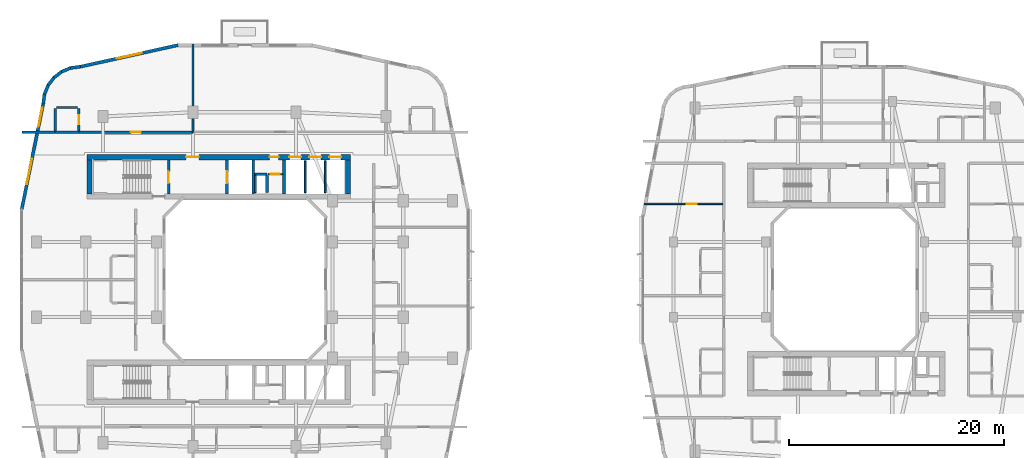
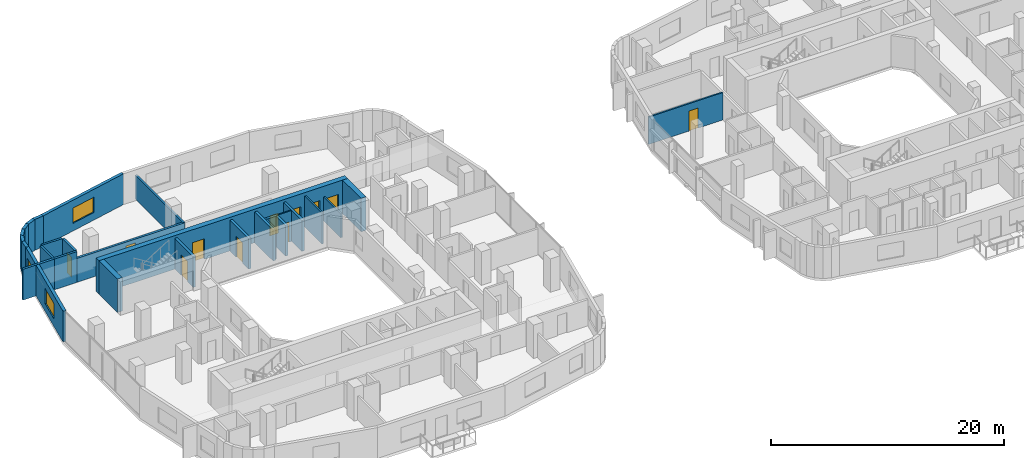
# One storey, part 11 of 22: 29 walls, 11 doors, 3 windows, 14 openings.
"""IFC4 building model written with IfcOpenShell, lengths in metres."""

from ifc_helpers import new_model, si_unit, derived_unit, direction, frame, frame_2d, origin, place, context, subcontext, project, spatial, rectangle, extrude, material, layer, layer_set, type_object, element, fill, save


model = new_model("IFC4")

# Units and contexts
model_context = context("Model", 3, precision=1e-05, world=origin(), true_north=direction((0.0, 1.0)))
body_context = subcontext(model_context, "Body", "Model", "MODEL_VIEW")
ifc_project = project(units=[si_unit("LENGTHUNIT", "METRE"), si_unit("AREAUNIT", "SQUARE_METRE"), si_unit("VOLUMEUNIT", "CUBIC_METRE"), si_unit("PLANEANGLEUNIT", "RADIAN"), si_unit("MASSUNIT", "GRAM", prefix="KILO"), derived_unit("THERMALTRANSMITTANCEUNIT", [(si_unit("POWERUNIT", "WATT"), 1), (si_unit("LENGTHUNIT", "METRE"), -2), (si_unit("THERMODYNAMICTEMPERATUREUNIT", "KELVIN"), -1)])], contexts=[model_context])

# Site, building, storey
site_placement = place(None, origin())
site = spatial("IfcSite", under=ifc_project, at=site_placement, CompositionType="ELEMENT")
building_placement = place(site_placement, origin())
building = spatial("IfcBuilding", under=site, at=building_placement, Name="Kivonza Crest Hotel", CompositionType="ELEMENT")
storey_placement = place(building_placement, frame((0.0, 0.0, 59.0)))
storey = spatial("IfcBuildingStorey", under=building, at=storey_placement, Name="L15", CompositionType="ELEMENT", Elevation=59.0)

# Walls
ifc_material_1 = material(Name="High-density acoustic masonry inter-tenancy wall", Category="masonry")
ifc_layer_1 = layer(ifc_material_1, 0.179931640625)
ifc_layer_set_1 = layer_set([ifc_layer_1], Name="High-density acoustic masonry inter-tenancy wall")
wall_type_1 = type_object("IfcWallType", Name="WL-ACOU-180", PredefinedType="SOLIDWALL", material=ifc_layer_set_1)
wall_1_placement = place(storey_placement, frame((16.199951171875, 38.75, 0.0), z_axis=(0.0, 0.0, 1.0), x_axis=(0.0, 1.0, 0.0)))
element("IfcWall", 1, at=wall_1_placement, inside=storey, type_object=wall_type_1, Name="L15 interior partition WA-L15-T1N-DIV1", PredefinedType="SOLIDWALL", context=body_context, shape_type="SweptSolid", body=[
    extrude(rectangle(XDim=8.18994140625, YDim=0.179931640625, at=frame_2d((4.094970703125, 0.0))), origin(), (0.0, 0.0, 1.0), 2.4951171875),
])
ifc_material_2 = material(Name="Autoclaved aerated concrete blockwork", Category="masonry")
ifc_layer_2 = layer(ifc_material_2, 0.219970703125)
ifc_layer_set_2 = layer_set([ifc_layer_2], Name="Autoclaved aerated concrete blockwork")
wall_type_2 = type_object("IfcWallType", Name="WL-ACOU-220", PredefinedType="SOLIDWALL", material=ifc_layer_set_2)
wall_2_placement = place(storey_placement, frame((0.239990234375, 38.75, 0.0), z_axis=(0.0, 0.0, 1.0), x_axis=(1.0, 0.0, 0.0)))
element("IfcWall", 2, at=wall_2_placement, inside=storey, type_object=wall_type_2, Name="L15 interior partition WA-L15-N01-XCORR", PredefinedType="SOLIDWALL", context=body_context, shape_type="SweptSolid", body=[
    extrude(rectangle(XDim=3.110107421875, YDim=0.219970703125, at=frame_2d((1.55517578125, 0.0))), origin(), (0.0, 0.0, 1.0), 3.219970703125),
])
wall_3_placement = place(storey_placement, frame((3.35009765625, 38.75, 0.0), z_axis=(0.0, 0.0, 1.0), x_axis=(1.0, 0.0, 0.0)))
element("IfcWall", 3, at=wall_3_placement, inside=storey, type_object=wall_type_2, Name="L15 interior partition WA-L15-N01-BCORR", PredefinedType="SOLIDWALL", context=body_context, shape_type="SweptSolid", body=[
    extrude(rectangle(XDim=2.199951171875, YDim=0.219970703125, at=frame_2d((1.10009765625, 0.0))), origin(), (0.0, 0.0, 1.0), 3.219970703125),
])

# Wall, opening, door
wall_4_placement = place(storey_placement, frame((5.550048828125, 38.75, 0.0), z_axis=(0.0, 0.0, 1.0), x_axis=(1.0, 0.0, 0.0)))
wall_4 = element("IfcWall", 4, at=wall_4_placement, inside=storey, type_object=wall_type_2, Name="L15 interior partition WA-L15-N01-MCORR", PredefinedType="SOLIDWALL", context=body_context, shape_type="SweptSolid", body=[
    extrude(rectangle(XDim=10.64990234375, YDim=0.219970703125, at=frame_2d((5.324951171875, 0.0))), origin(), (0.0, 0.0, 1.0), 2.4951171875),
])
opening_1_placement = place(wall_4_placement, frame((4.85009765625, 0.0, 0.0)))
opening_1 = element("IfcOpeningElement", 5, at=opening_1_placement, cuts=wall_4, Name="Opening DU-60", PredefinedType="OPENING", context=body_context, shape_type="SweptSolid", body=[
    extrude(rectangle(XDim=0.949951171875, YDim=2.10009765625, at=frame_2d((0.47509765625, 1.050048828125))), frame((0.0, 0.1201171875, 0.0), z_axis=(0.0, -1.0, 0.0), x_axis=(1.0, 0.0, 0.0)), (0.0, 0.0, 1.0), 0.239990234375),
])
ifc_material_3 = material(Name="Hardwood timber oak", Category="wood")
door_type_1 = type_object("IfcDoorType", Name="DR-UNIT-950", OperationType="NOTDEFINED", PredefinedType="DOOR", material=ifc_material_3)
door_1_placement = place(opening_1_placement, origin())
door_1 = element("IfcDoor", 6, at=door_1_placement, inside=storey, type_object=door_type_1, Name="L15 N01 guest unit entrance fire door", OperationType="SINGLE_SWING_LEFT", OverallHeight=2.10009765625, OverallWidth=0.949951171875, PredefinedType="DOOR", context=body_context, shape_type="SweptSolid", body=[
    extrude(rectangle(XDim=0.949951171875, YDim=2.10009765625, at=frame_2d((0.47509765625, 1.050048828125))), frame((0.0, 0.02490234375, 0.0), z_axis=(0.0, -1.0, 0.0), x_axis=(1.0, 0.0, 0.0)), (0.0, 0.0, 1.0), 0.050048828125),
])
fill(opening_1, door_1)

# Wall, openings, doors
ifc_material_4 = material(Name="Concrete C60/75", Category="concrete")
ifc_layer_3 = layer(ifc_material_4, 0.5)
ifc_layer_set_3 = layer_set([ifc_layer_3], Name="Concrete C60/75")
wall_type_3 = type_object("IfcWallType", Name="WL-CORE-500", PredefinedType="SHEAR", material=ifc_layer_set_3)
wall_5_placement = place(storey_placement, frame((6.300048828125, 36.409912109375, 0.0), z_axis=(0.0, 0.0, 1.0), x_axis=(1.0, 0.0, 0.0)))
wall_5 = element("IfcWall", 7, at=wall_5_placement, inside=storey, type_object=wall_type_3, Name="Core wall T1-N North L15", PredefinedType="SHEAR", context=body_context, shape_type="SweptSolid", body=[
    extrude(rectangle(XDim=24.599853515625, YDim=0.5, at=frame_2d((12.2998046875, 0.0))), origin(), (0.0, 0.0, 1.0), 3.5),
])
opening_2_placement = place(wall_5_placement, frame((9.25, 0.0, 0.0)))
opening_2 = element("IfcOpeningElement", 8, at=opening_2_placement, cuts=wall_5, Name="Opening DF-60", PredefinedType="OPENING", context=body_context, shape_type="SweptSolid", body=[
    extrude(rectangle(XDim=1.199951171875, YDim=2.14990234375, at=frame_2d((0.60009765625, 1.074951171875))), frame((0.0, 0.260009765625, 0.0), z_axis=(0.0, -1.0, 0.0), x_axis=(1.0, 0.0, 0.0)), (0.0, 0.0, 1.0), 0.52001953125),
])
opening_3_placement = place(wall_5_placement, frame((17.0400390625, 0.0, 0.0)))
opening_3 = element("IfcOpeningElement", 9, at=opening_3_placement, cuts=wall_5, Name="Opening DF-60R", PredefinedType="OPENING", context=body_context, shape_type="SweptSolid", body=[
    extrude(rectangle(XDim=0.85009765625, YDim=2.10009765625, at=frame_2d((0.425048828125, 1.050048828125))), frame((0.0, 0.260009765625, 0.0), z_axis=(0.0, -1.0, 0.0), x_axis=(1.0, 0.0, 0.0)), (0.0, 0.0, 1.0), 0.52001953125),
])
opening_4_placement = place(wall_5_placement, frame((18.883056640625, 0.0, 0.0)))
opening_4 = element("IfcOpeningElement", 10, at=opening_4_placement, cuts=wall_5, Name="Opening LD-120", PredefinedType="OPENING", context=body_context, shape_type="SweptSolid", body=[
    extrude(rectangle(XDim=1.10009765625, YDim=2.14990234375, at=frame_2d((0.550048828125, 1.074951171875))), frame((0.0, 0.260009765625, 0.0), z_axis=(0.0, -1.0, 0.0), x_axis=(1.0, 0.0, 0.0)), (0.0, 0.0, 1.0), 0.52001953125),
])
opening_5_placement = place(wall_5_placement, frame((20.75, 0.0, 0.0)))
opening_5 = element("IfcOpeningElement", 11, at=opening_5_placement, cuts=wall_5, Name="Opening LD-120", PredefinedType="OPENING", context=body_context, shape_type="SweptSolid", body=[
    extrude(rectangle(XDim=1.10009765625, YDim=2.14990234375, at=frame_2d((0.550048828125, 1.074951171875))), frame((0.0, 0.260009765625, 0.0), z_axis=(0.0, -1.0, 0.0), x_axis=(1.0, 0.0, 0.0)), (0.0, 0.0, 1.0), 0.52001953125),
])
opening_6_placement = place(wall_5_placement, frame((22.615966796875, 0.0, 0.0)))
opening_6 = element("IfcOpeningElement", 12, at=opening_6_placement, cuts=wall_5, Name="Opening LD-120", PredefinedType="OPENING", context=body_context, shape_type="SweptSolid", body=[
    extrude(rectangle(XDim=1.10009765625, YDim=2.14990234375, at=frame_2d((0.550048828125, 1.074951171875))), frame((0.0, 0.260009765625, 0.0), z_axis=(0.0, -1.0, 0.0), x_axis=(1.0, 0.0, 0.0)), (0.0, 0.0, 1.0), 0.52001953125),
])
door_type_2 = type_object("IfcDoorType", Name="DR-FD60-1200", OperationType="NOTDEFINED", PredefinedType="DOOR", material=ifc_material_3)
door_2_placement = place(opening_2_placement, origin())
door_2 = element("IfcDoor", 13, at=door_2_placement, inside=storey, type_object=door_type_2, Name="L15 T1-N firefighting lobby fire door", OperationType="SINGLE_SWING_RIGHT", OverallHeight=2.14990234375, OverallWidth=1.199951171875, PredefinedType="DOOR", context=body_context, shape_type="SweptSolid", body=[
    extrude(rectangle(XDim=1.199951171875, YDim=2.14990234375, at=frame_2d((0.60009765625, 1.074951171875))), frame((0.0, 0.02490234375, 0.0), z_axis=(0.0, -1.0, 0.0), x_axis=(1.0, 0.0, 0.0)), (0.0, 0.0, 1.0), 0.050048828125),
])
fill(opening_2, door_2)
door_type_3 = type_object("IfcDoorType", Name="DR-FD60-850", OperationType="NOTDEFINED", PredefinedType="DOOR", material=ifc_material_3)
door_3_placement = place(opening_3_placement, origin())
door_3 = element("IfcDoor", 14, at=door_3_placement, inside=storey, type_object=door_type_3, Name="L15 T1-N core room door", OperationType="SINGLE_SWING_RIGHT", OverallHeight=2.10009765625, OverallWidth=0.85009765625, PredefinedType="DOOR", context=body_context, shape_type="SweptSolid", body=[
    extrude(rectangle(XDim=0.85009765625, YDim=2.10009765625, at=frame_2d((0.425048828125, 1.050048828125))), frame((0.0, 0.02490234375, 0.0), z_axis=(0.0, -1.0, 0.0), x_axis=(1.0, 0.0, 0.0)), (0.0, 0.0, 1.0), 0.050048828125),
])
fill(opening_3, door_3)
ifc_material_5 = material(Name="Stainless steel", Category="steel")
door_type_4 = type_object("IfcDoorType", Name="DR-LD120-1100", OperationType="NOTDEFINED", PredefinedType="DOOR", material=ifc_material_5)
door_4_placement = place(opening_4_placement, origin())
door_4 = element("IfcDoor", 15, at=door_4_placement, inside=storey, type_object=door_type_4, Name="L15 PL-T1-L1 passenger lift sliding landing door", OperationType="DOUBLE_DOOR_SLIDING", OverallHeight=2.14990234375, OverallWidth=1.10009765625, PredefinedType="DOOR", context=body_context, shape_type="SweptSolid", body=[
    extrude(rectangle(XDim=1.10009765625, YDim=2.14990234375, at=frame_2d((0.550048828125, 1.074951171875))), frame((0.0, 0.02490234375, 0.0), z_axis=(0.0, -1.0, 0.0), x_axis=(1.0, 0.0, 0.0)), (0.0, 0.0, 1.0), 0.050048828125),
])
fill(opening_4, door_4)
door_5_placement = place(opening_5_placement, origin())
door_5 = element("IfcDoor", 16, at=door_5_placement, inside=storey, type_object=door_type_4, Name="L15 PL-T1-L2 passenger lift sliding landing door", OperationType="DOUBLE_DOOR_SLIDING", OverallHeight=2.14990234375, OverallWidth=1.10009765625, PredefinedType="DOOR", context=body_context, shape_type="SweptSolid", body=[
    extrude(rectangle(XDim=1.10009765625, YDim=2.14990234375, at=frame_2d((0.550048828125, 1.074951171875))), frame((0.0, 0.02490234375, 0.0), z_axis=(0.0, -1.0, 0.0), x_axis=(1.0, 0.0, 0.0)), (0.0, 0.0, 1.0), 0.050048828125),
])
fill(opening_5, door_5)
door_6_placement = place(opening_6_placement, origin())
door_6 = element("IfcDoor", 17, at=door_6_placement, inside=storey, type_object=door_type_4, Name="L15 PL-T1-L3 passenger lift sliding landing door", OperationType="DOUBLE_DOOR_SLIDING", OverallHeight=2.14990234375, OverallWidth=1.10009765625, PredefinedType="DOOR", context=body_context, shape_type="SweptSolid", body=[
    extrude(rectangle(XDim=1.10009765625, YDim=2.14990234375, at=frame_2d((0.550048828125, 1.074951171875))), frame((0.0, 0.02490234375, 0.0), z_axis=(0.0, -1.0, 0.0), x_axis=(1.0, 0.0, 0.0)), (0.0, 0.0, 1.0), 0.050048828125),
])
fill(opening_6, door_6)

# Walls
for number, where, z_axis, x_axis, name in (
    (18, (6.550048828125, 33.0, 0.0), (0.0, 0.0, 1.0), (0.0, 1.0, 0.0), "Core wall T1-N West L15"),
    (19, (30.64990234375, 33.0, 0.0), (0.0, 0.0, 1.0), (0.0, 1.0, 0.0), "Core wall T1-N East L15"),
):
    element("IfcWall", number, at=place(storey_placement, frame(where, z_axis=z_axis, x_axis=x_axis)), inside=storey, type_object=wall_type_3, Name=name, PredefinedType="SHEAR", context=body_context, shape_type="SweptSolid", body=[
        extrude(rectangle(XDim=3.159912109375, YDim=0.5, at=frame_2d((1.580078125, 0.0))), origin(), (0.0, 0.0, 1.0), 3.5),
    ])

# Wall, opening, window
ifc_material_6 = material(Name="Precast concrete C40/50", Category="concrete")
ifc_layer_4 = layer(ifc_material_6, 0.300048828125)
ifc_layer_set_4 = layer_set([ifc_layer_4], Name="Precast concrete C40/50")
wall_type_4 = type_object("IfcWallType", Name="WL-EXT-300", PredefinedType="STANDARD", material=ifc_layer_set_4)
wall_6_placement = place(storey_placement, frame((14.80810546875, 46.85888671875, 0.0), z_axis=(0.0, 0.0, 1.0), x_axis=(-0.976555357219, -0.21526642629, 0.0)))
wall_6 = element("IfcWall", 20, at=wall_6_placement, inside=storey, type_object=wall_type_4, Name="L15 T1 exterior insulated wall 27", PredefinedType="STANDARD", context=body_context, shape_type="SweptSolid", body=[
    extrude(rectangle(XDim=9.322509765625, YDim=0.300048828125, at=frame_2d((4.6611328125, 0.0))), origin(), (0.0, 0.0, 1.0), 3.219970703125),
])
opening_7_placement = place(wall_6_placement, frame((3.4609375, 0.0, 0.800048828125)))
opening_7 = element("IfcOpeningElement", 21, at=opening_7_placement, cuts=wall_6, Name="Opening WN-05", PredefinedType="OPENING", context=body_context, shape_type="SweptSolid", body=[
    extrude(rectangle(XDim=2.39990234375, YDim=1.60009765625, at=frame_2d((1.199951171875, 0.800048828125))), frame((0.0, 0.16015625, 0.0), z_axis=(0.0, -1.0, 0.0), x_axis=(1.0, 0.0, 0.0)), (0.0, 0.0, 1.0), 0.320068359375),
])
ifc_material_7 = material(Name="Thermally broken bronze aluminium and low-E double glazing", Category="aluminium")
window_type_1 = type_object("IfcWindowType", Name="WN-240x160", PartitioningType="TRIPLE_PANEL_VERTICAL", PredefinedType="WINDOW", material=ifc_material_7)
window_1_placement = place(opening_7_placement, origin())
window_1 = element("IfcWindow", 22, at=window_1_placement, inside=storey, type_object=window_type_1, Name="L15 T1 facade window 27", OverallHeight=1.60009765625, OverallWidth=2.39990234375, PartitioningType="SINGLE_PANEL", PredefinedType="WINDOW", context=body_context, shape_type="SweptSolid", body=[
    extrude(rectangle(XDim=2.39990234375, YDim=1.60009765625, at=frame_2d((1.199951171875, 0.800048828125))), frame((0.0, 0.030029296875, 0.0), z_axis=(0.0, -1.0, 0.0), x_axis=(1.0, 0.0, 0.0)), (0.0, 0.0, 1.0), 0.06005859375),
])
fill(opening_7, window_1)

# Walls
wall_7_placement = place(storey_placement, frame((5.7080078125, 44.85205078125, 0.0), z_axis=(0.0, 0.0, 1.0), x_axis=(-0.991359246108, -0.131174864804, 0.0)))
element("IfcWall", 23, at=wall_7_placement, inside=storey, type_object=wall_type_4, Name="L15 T1 exterior insulated wall 28", PredefinedType="STANDARD", context=body_context, shape_type="SweptSolid", body=[
    extrude(rectangle(XDim=0.93798828125, YDim=0.300048828125, at=frame_2d((0.468994140625, 0.0))), origin(), (0.0, 0.0, 1.0), 3.219970703125),
])
wall_8_placement = place(storey_placement, frame((4.827880859375, 44.748046875, 0.0), z_axis=(0.0, 0.0, 1.0), x_axis=(-0.923982547689, -0.382434636986, 0.0)))
element("IfcWall", 24, at=wall_8_placement, inside=storey, type_object=wall_type_4, Name="L15 T1 exterior insulated wall 29", PredefinedType="STANDARD", context=body_context, shape_type="SweptSolid", body=[
    extrude(rectangle(XDim=0.954345703125, YDim=0.300048828125, at=frame_2d((0.47705078125, 0.0))), origin(), (0.0, 0.0, 1.0), 3.219970703125),
])
for number, where, z_axis, x_axis, name in (
    (25, (3.990966796875, 44.4140625, 0.0), (0.0, 0.0, 1.0), (-0.793668068435, -0.608351047625, 0.0), "L15 T1 exterior insulated wall 30"),
    (26, (3.26806640625, 43.875, 0.0), (0.0, 0.0, 1.0), (-0.608351047625, -0.793668068435, 0.0), "L15 T1 exterior insulated wall 31"),
):
    element("IfcWall", number, at=place(storey_placement, frame(where, z_axis=z_axis, x_axis=x_axis)), inside=storey, type_object=wall_type_4, Name=name, PredefinedType="STANDARD", context=body_context, shape_type="SweptSolid", body=[
        extrude(rectangle(XDim=0.955078125, YDim=0.300048828125, at=frame_2d((0.4775390625, 0.0))), origin(), (0.0, 0.0, 1.0), 3.219970703125),
    ])
wall_9_placement = place(storey_placement, frame((2.7109375, 43.166015625, 0.0), z_axis=(0.0, 0.0, 1.0), x_axis=(-0.382344263057, -0.924019948111, 0.0)))
element("IfcWall", 27, at=wall_9_placement, inside=storey, type_object=wall_type_4, Name="L15 T1 exterior insulated wall 32", PredefinedType="STANDARD", context=body_context, shape_type="SweptSolid", body=[
    extrude(rectangle(XDim=0.95458984375, YDim=0.300048828125, at=frame_2d((0.477294921875, 0.0))), origin(), (0.0, 0.0, 1.0), 3.219970703125),
])
wall_10_placement = place(storey_placement, frame((2.35498046875, 42.3369140625, 0.0), z_axis=(0.0, 0.0, 1.0), x_axis=(-0.130454512571, -0.991454295543, 0.0)))
element("IfcWall", 28, at=wall_10_placement, inside=storey, type_object=wall_type_4, Name="L15 T1 exterior insulated wall 33", PredefinedType="STANDARD", context=body_context, shape_type="SweptSolid", body=[
    extrude(rectangle(XDim=0.97314453125, YDim=0.300048828125, at=frame_2d((0.486572265625, 0.0))), origin(), (0.0, 0.0, 1.0), 3.219970703125),
])

# Wall, openings, windows
wall_11_placement = place(storey_placement, frame((2.22900390625, 41.3779296875, 0.0), z_axis=(0.0, 0.0, 1.0), x_axis=(-0.199990901713, -0.979797754249, 0.0)))
wall_11 = element("IfcWall", 29, at=wall_11_placement, inside=storey, type_object=wall_type_4, Name="L15 T1 exterior insulated wall 34", PredefinedType="STANDARD", context=body_context, shape_type="SweptSolid", body=[
    extrude(rectangle(XDim=10.065185546875, YDim=0.300048828125, at=frame_2d((5.03271484375, 0.0))), origin(), (0.0, 0.0, 1.0), 3.219970703125),
])
opening_8_placement = place(wall_11_placement, frame((0.3779296875, 0.0, 0.85009765625)))
opening_8 = element("IfcOpeningElement", 30, at=opening_8_placement, cuts=wall_11, Name="Opening WN-03", PredefinedType="OPENING", context=body_context, shape_type="SweptSolid", body=[
    extrude(rectangle(XDim=1.800048828125, YDim=1.5, at=frame_2d((0.89990234375, 0.75))), frame((0.0, 0.16015625, 0.0), z_axis=(0.0, -1.0, 0.0), x_axis=(1.0, 0.0, 0.0)), (0.0, 0.0, 1.0), 0.320068359375),
])
opening_9_placement = place(wall_11_placement, frame((5.236083984375, 0.0, 0.800048828125)))
opening_9 = element("IfcOpeningElement", 31, at=opening_9_placement, cuts=wall_11, Name="Opening WN-05", PredefinedType="OPENING", context=body_context, shape_type="SweptSolid", body=[
    extrude(rectangle(XDim=2.39990234375, YDim=1.60009765625, at=frame_2d((1.199951171875, 0.800048828125))), frame((0.0, 0.16015625, 0.0), z_axis=(0.0, -1.0, 0.0), x_axis=(1.0, 0.0, 0.0)), (0.0, 0.0, 1.0), 0.320068359375),
])
window_type_2 = type_object("IfcWindowType", Name="WN-180x150", PartitioningType="DOUBLE_PANEL_VERTICAL", PredefinedType="WINDOW", material=ifc_material_7)
window_2_placement = place(opening_8_placement, origin())
window_2 = element("IfcWindow", 32, at=window_2_placement, inside=storey, type_object=window_type_2, Name="L15 T1 facade window 34 bay 1", OverallHeight=1.5, OverallWidth=1.800048828125, PartitioningType="SINGLE_PANEL", PredefinedType="WINDOW", context=body_context, shape_type="SweptSolid", body=[
    extrude(rectangle(XDim=1.800048828125, YDim=1.5, at=frame_2d((0.89990234375, 0.75))), frame((0.0, 0.030029296875, 0.0), z_axis=(0.0, -1.0, 0.0), x_axis=(1.0, 0.0, 0.0)), (0.0, 0.0, 1.0), 0.06005859375),
])
fill(opening_8, window_2)
window_3_placement = place(opening_9_placement, origin())
window_3 = element("IfcWindow", 33, at=window_3_placement, inside=storey, type_object=window_type_1, Name="L15 T1 facade window 34 bay 2", OverallHeight=1.60009765625, OverallWidth=2.39990234375, PartitioningType="SINGLE_PANEL", PredefinedType="WINDOW", context=body_context, shape_type="SweptSolid", body=[
    extrude(rectangle(XDim=2.39990234375, YDim=1.60009765625, at=frame_2d((1.199951171875, 0.800048828125))), frame((0.0, 0.030029296875, 0.0), z_axis=(0.0, -1.0, 0.0), x_axis=(1.0, 0.0, 0.0)), (0.0, 0.0, 1.0), 0.06005859375),
])
fill(opening_9, window_3)

# Walls
ifc_material_8 = material(Name="Concrete blockwork fire-compartment wall", Category="masonry")
ifc_layer_5 = layer(ifc_material_8, 0.25)
ifc_layer_set_5 = layer_set([ifc_layer_5], Name="Concrete blockwork fire-compartment wall")
wall_type_5 = type_object("IfcWallType", Name="WL-FIRE-250", PredefinedType="SOLIDWALL", material=ifc_layer_set_5)
wall_12_placement = place(storey_placement, frame((23.10009765625, 33.10009765625, 0.0), z_axis=(0.0, 0.0, 1.0), x_axis=(0.0, 1.0, 0.0)))
element("IfcWall", 34, at=wall_12_placement, inside=storey, type_object=wall_type_5, Name="L15 interior partition WA-L15-T1-N-MEPR-E", PredefinedType="SOLIDWALL", context=body_context, shape_type="SweptSolid", body=[
    extrude(rectangle(XDim=1.619873046875, YDim=0.25, at=frame_2d((0.81005859375, 0.0))), origin(), (0.0, 0.0, 1.0), 3.219970703125),
])
wall_13_placement = place(storey_placement, frame((21.949951171875, 34.820068359375, 0.0), z_axis=(0.0, 0.0, 1.0), x_axis=(1.0, 0.0, 0.0)))
element("IfcWall", 35, at=wall_13_placement, inside=storey, type_object=wall_type_5, Name="L15 interior partition WA-L15-T1-N-MEPR-H", PredefinedType="SOLIDWALL", context=body_context, shape_type="SweptSolid", body=[
    extrude(rectangle(XDim=1.150146484375, YDim=0.25, at=frame_2d((0.5751953125, 0.0))), origin(), (0.0, 0.0, 1.0), 3.219970703125),
])

# Wall, opening, door
ifc_material_9 = material(Name="Metal-stud gypsum board partition", Category="gypsum")
ifc_layer_6 = layer(ifc_material_9, 0.125)
ifc_layer_set_6 = layer_set([ifc_layer_6], Name="Metal-stud gypsum board partition")
wall_type_6 = type_object("IfcWallType", Name="WL-PART-125", PredefinedType="PARTITIONING", material=ifc_layer_set_6)
wall_14_placement = place(storey_placement, frame((23.219970703125, 34.820068359375, 0.0), z_axis=(0.0, 0.0, 1.0), x_axis=(1.0, 0.0, 0.0)))
wall_14 = element("IfcWall", 36, at=wall_14_placement, inside=storey, type_object=wall_type_6, Name="L15 interior partition WP-L15-T1-N-SV3H", PredefinedType="PARTITIONING", context=body_context, shape_type="SweptSolid", body=[
    extrude(rectangle(XDim=1.330078125, YDim=0.125, at=frame_2d((0.6650390625, 0.0))), origin(), (0.0, 0.0, 1.0), 3.219970703125),
])
opening_10_placement = place(wall_14_placement, frame((0.239990234375, 0.0, 0.0)))
opening_10 = element("IfcOpeningElement", 37, at=opening_10_placement, cuts=wall_14, Name="Opening DI-85", PredefinedType="OPENING", context=body_context, shape_type="SweptSolid", body=[
    extrude(rectangle(XDim=0.85009765625, YDim=2.10009765625, at=frame_2d((0.425048828125, 1.050048828125))), frame((0.0, 0.072509765625, 0.0), z_axis=(0.0, -1.0, 0.0), x_axis=(1.0, 0.0, 0.0)), (0.0, 0.0, 1.0), 0.14501953125),
])
door_type_5 = type_object("IfcDoorType", Name="DR-INT-850", OperationType="NOTDEFINED", PredefinedType="DOOR", material=ifc_material_3)
door_7_placement = place(opening_10_placement, origin())
door_7 = element("IfcDoor", 38, at=door_7_placement, inside=storey, type_object=door_type_5, Name="L15 T1-N inner manifold door", OperationType="SINGLE_SWING_LEFT", OverallHeight=2.10009765625, OverallWidth=0.85009765625, PredefinedType="DOOR", context=body_context, shape_type="SweptSolid", body=[
    extrude(rectangle(XDim=0.85009765625, YDim=2.10009765625, at=frame_2d((0.425048828125, 1.050048828125))), frame((0.0, 0.02490234375, 0.0), z_axis=(0.0, -1.0, 0.0), x_axis=(1.0, 0.0, 0.0)), (0.0, 0.0, 1.0), 0.050048828125),
])
fill(opening_10, door_7)

# Walls
ifc_material_10 = material(Name="Twin-stud acoustic gypsum board partition", Category="gypsum")
ifc_layer_7 = layer(ifc_material_10, 0.14990234375)
ifc_layer_set_7 = layer_set([ifc_layer_7], Name="Twin-stud acoustic gypsum board partition")
wall_type_7 = type_object("IfcWallType", Name="WL-PART-150", PredefinedType="PARTITIONING", material=ifc_layer_set_7)
wall_15_placement = place(storey_placement, frame((22.030029296875, 33.10009765625, 0.0), z_axis=(0.0, 0.0, 1.0), x_axis=(0.0, 1.0, 0.0)))
element("IfcWall", 39, at=wall_15_placement, inside=storey, type_object=wall_type_7, Name="L15 interior partition WA-L15-T1-N-MEPR-W", PredefinedType="PARTITIONING", context=body_context, shape_type="SweptSolid", body=[
    extrude(rectangle(XDim=1.619873046875, YDim=0.14990234375, at=frame_2d((0.81005859375, 0.0))), origin(), (0.0, 0.0, 1.0), 3.219970703125),
])
wall_16_placement = place(storey_placement, frame((26.6669921875, 33.10009765625, 0.0), z_axis=(0.0, 0.0, 1.0), x_axis=(0.0, 1.0, 0.0)))
element("IfcWall", 40, at=wall_16_placement, inside=storey, type_object=wall_type_7, Name="L15 interior partition WP-L15-T1-N-BSH-1", PredefinedType="PARTITIONING", context=body_context, shape_type="SweptSolid", body=[
    extrude(rectangle(XDim=2.9599609375, YDim=0.14990234375, at=frame_2d((1.47998046875, 0.0))), origin(), (0.0, 0.0, 1.0), 3.219970703125),
])
wall_17_placement = place(storey_placement, frame((28.532958984375, 33.10009765625, 0.0), z_axis=(0.0, 0.0, 1.0), x_axis=(0.0, 1.0, 0.0)))
element("IfcWall", 41, at=wall_17_placement, inside=storey, type_object=wall_type_7, Name="L15 interior partition WP-L15-T1-N-BSH-2", PredefinedType="PARTITIONING", context=body_context, shape_type="SweptSolid", body=[
    extrude(rectangle(XDim=2.9599609375, YDim=0.14990234375, at=frame_2d((1.47998046875, 0.0))), origin(), (0.0, 0.0, 1.0), 2.4951171875),
])

# Wall, opening, door
wall_18_placement = place(storey_placement, frame((58.260009765625, 32.06005859375, 0.0), z_axis=(0.0, 0.0, 1.0), x_axis=(1.0, 0.0, 0.0)))
wall_18 = element("IfcWall", 42, at=wall_18_placement, inside=storey, type_object=wall_type_7, Name="L15 interior partition WP-L15-A07-BD1", PredefinedType="PARTITIONING", context=body_context, shape_type="SweptSolid", body=[
    extrude(rectangle(XDim=7.340087890625, YDim=0.14990234375, at=frame_2d((3.669921875, 0.0))), origin(), (0.0, 0.0, 1.0), 2.864990234375),
])
opening_11_placement = place(wall_18_placement, frame((3.989990234375, 0.0, 0.0)))
opening_11 = element("IfcOpeningElement", 43, at=opening_11_placement, cuts=wall_18, Name="Opening DI-90", PredefinedType="OPENING", context=body_context, shape_type="SweptSolid", body=[
    extrude(rectangle(XDim=0.89990234375, YDim=2.10009765625, at=frame_2d((0.449951171875, 1.050048828125))), frame((0.0, 0.0849609375, 0.0), z_axis=(0.0, -1.0, 0.0), x_axis=(1.0, 0.0, 0.0)), (0.0, 0.0, 1.0), 0.169921875),
])
door_type_6 = type_object("IfcDoorType", Name="DR-INT-900", OperationType="NOTDEFINED", PredefinedType="DOOR", material=ifc_material_3)
door_8_placement = place(opening_11_placement, origin())
door_8 = element("IfcDoor", 44, at=door_8_placement, inside=storey, type_object=door_type_6, Name="L15 A07 bedroom door", OperationType="SINGLE_SWING_RIGHT", OverallHeight=2.10009765625, OverallWidth=0.89990234375, PredefinedType="DOOR", context=body_context, shape_type="SweptSolid", body=[
    extrude(rectangle(XDim=0.89990234375, YDim=2.10009765625, at=frame_2d((0.449951171875, 1.050048828125))), frame((0.0, 0.02490234375, 0.0), z_axis=(0.0, -1.0, 0.0), x_axis=(1.0, 0.0, 0.0)), (0.0, 0.0, 1.0), 0.050048828125),
])
fill(opening_11, door_8)

ifc_material_11 = material(Name="Moisture-resistant plumbing chase partition wall", Category="gypsum")
ifc_layer_8 = layer(ifc_material_11, 0.199951171875)
ifc_layer_set_8 = layer_set([ifc_layer_8], Name="Moisture-resistant plumbing chase partition wall")
wall_type_8 = type_object("IfcWallType", Name="WL-PLUMB-200", PredefinedType="PLUMBINGWALL", material=ifc_layer_set_8)
wall_19_placement = place(storey_placement, frame((5.550048828125, 38.85009765625, 0.0), z_axis=(0.0, 0.0, 1.0), x_axis=(0.0, 1.0, 0.0)))
wall_19 = element("IfcWall", 45, at=wall_19_placement, inside=storey, type_object=wall_type_8, Name="L15 interior partition WW-L15-N01-BV", PredefinedType="PLUMBINGWALL", context=body_context, shape_type="SweptSolid", body=[
    extrude(rectangle(XDim=2.099853515625, YDim=0.199951171875, at=frame_2d((1.0498046875, 0.0))), origin(), (0.0, 0.0, 1.0), 3.219970703125),
])
opening_12_placement = place(wall_19_placement, frame((0.625, 0.0, 0.0)))
opening_12 = element("IfcOpeningElement", 46, at=opening_12_placement, cuts=wall_19, Name="Opening DI-85", PredefinedType="OPENING", context=body_context, shape_type="SweptSolid", body=[
    extrude(rectangle(XDim=0.85009765625, YDim=2.10009765625, at=frame_2d((0.425048828125, 1.050048828125))), frame((0.0, 0.10986328125, 0.0), z_axis=(0.0, -1.0, 0.0), x_axis=(1.0, 0.0, 0.0)), (0.0, 0.0, 1.0), 0.219970703125),
])
door_9_placement = place(opening_12_placement, frame((0.85009765625, 0.0, 0.0), z_axis=(0.0, 0.0, 1.0), x_axis=(-1.0, 0.0, 0.0)))
door_9 = element("IfcDoor", 47, at=door_9_placement, inside=storey, type_object=door_type_5, Name="L15 N01 en-suite bathroom door", OperationType="SINGLE_SWING_RIGHT", OverallHeight=2.10009765625, OverallWidth=0.85009765625, PredefinedType="DOOR", context=body_context, shape_type="SweptSolid", body=[
    extrude(rectangle(XDim=0.85009765625, YDim=2.10009765625, at=frame_2d((0.425048828125, 1.050048828125))), frame((0.0, 0.02490234375, 0.0), z_axis=(0.0, -1.0, 0.0), x_axis=(1.0, 0.0, 0.0)), (0.0, 0.0, 1.0), 0.050048828125),
])
fill(opening_12, door_9)

# Walls
wall_20_placement = place(storey_placement, frame((3.449951171875, 41.050048828125, 0.0), z_axis=(0.0, 0.0, 1.0), x_axis=(1.0, 0.0, 0.0)))
element("IfcWall", 48, at=wall_20_placement, inside=storey, type_object=wall_type_8, Name="L15 interior partition WW-L15-N01-BH", PredefinedType="PLUMBINGWALL", context=body_context, shape_type="SweptSolid", body=[
    extrude(rectangle(XDim=2.0, YDim=0.199951171875, at=frame_2d((1.0, 0.0))), origin(), (0.0, 0.0, 1.0), 3.219970703125),
])
wall_21_placement = place(storey_placement, frame((3.35009765625, 38.85009765625, 0.0), z_axis=(0.0, 0.0, 1.0), x_axis=(0.0, 1.0, 0.0)))
element("IfcWall", 49, at=wall_21_placement, inside=storey, type_object=wall_type_8, Name="L15 interior partition WW-L15-N01-BVW", PredefinedType="PLUMBINGWALL", context=body_context, shape_type="SweptSolid", body=[
    extrude(rectangle(XDim=2.099853515625, YDim=0.199951171875, at=frame_2d((1.0498046875, 0.0))), origin(), (0.0, 0.0, 1.0), 3.219970703125),
])

# Wall, opening, door
ifc_material_12 = material(Name="Concrete C50/60", Category="concrete")
ifc_layer_9 = layer(ifc_material_12, 0.25)
ifc_layer_set_9 = layer_set([ifc_layer_9], Name="Concrete C50/60")
wall_type_9 = type_object("IfcWallType", Name="WL-SHAFT-250", PredefinedType="STANDARD", material=ifc_layer_set_9)
wall_22_placement = place(storey_placement, frame((13.925048828125, 33.0, 0.0), z_axis=(0.0, 0.0, 1.0), x_axis=(0.0, 1.0, 0.0)))
wall_22 = element("IfcWall", 50, at=wall_22_placement, inside=storey, type_object=wall_type_9, Name="Core shaft wall T1-N STAIR L15", PredefinedType="STANDARD", context=body_context, shape_type="SweptSolid", body=[
    extrude(rectangle(XDim=3.159912109375, YDim=0.25, at=frame_2d((1.580078125, 0.0))), origin(), (0.0, 0.0, 1.0), 3.219970703125),
])
opening_13_placement = place(wall_22_placement, frame((0.97998046875, 0.0, 0.0)))
opening_13 = element("IfcOpeningElement", 51, at=opening_13_placement, cuts=wall_22, Name="Opening DF-120", PredefinedType="OPENING", context=body_context, shape_type="SweptSolid", body=[
    extrude(rectangle(XDim=1.10009765625, YDim=2.14990234375, at=frame_2d((0.550048828125, 1.074951171875))), frame((0.0, 0.135009765625, 0.0), z_axis=(0.0, -1.0, 0.0), x_axis=(1.0, 0.0, 0.0)), (0.0, 0.0, 1.0), 0.27001953125),
])
ifc_material_13 = material(Name="Galvanised steel", Category="steel")
door_type_7 = type_object("IfcDoorType", Name="DR-FD120-1100", OperationType="NOTDEFINED", PredefinedType="DOOR", material=ifc_material_13)
door_10_placement = place(opening_13_placement, frame((1.10009765625, 0.0, 0.0), z_axis=(0.0, 0.0, 1.0), x_axis=(-1.0, 0.0, 0.0)))
door_10 = element("IfcDoor", 52, at=door_10_placement, inside=storey, type_object=door_type_7, Name="L15 T1-N stair fire door", OperationType="SINGLE_SWING_LEFT", OverallHeight=2.14990234375, OverallWidth=1.10009765625, PredefinedType="DOOR", context=body_context, shape_type="SweptSolid", body=[
    extrude(rectangle(XDim=1.10009765625, YDim=2.14990234375, at=frame_2d((0.550048828125, 1.074951171875))), frame((0.0, 0.02490234375, 0.0), z_axis=(0.0, -1.0, 0.0), x_axis=(1.0, 0.0, 0.0)), (0.0, 0.0, 1.0), 0.050048828125),
])
fill(opening_13, door_10)

wall_23_placement = place(storey_placement, frame((19.375, 33.0, 0.0), z_axis=(0.0, 0.0, 1.0), x_axis=(0.0, 1.0, 0.0)))
wall_23 = element("IfcWall", 53, at=wall_23_placement, inside=storey, type_object=wall_type_9, Name="Core shaft wall T1-N FFL-W L15", PredefinedType="STANDARD", context=body_context, shape_type="SweptSolid", body=[
    extrude(rectangle(XDim=3.159912109375, YDim=0.25, at=frame_2d((1.580078125, 0.0))), origin(), (0.0, 0.0, 1.0), 3.219970703125),
])
opening_14_placement = place(wall_23_placement, frame((0.97998046875, 0.0, 0.0)))
opening_14 = element("IfcOpeningElement", 54, at=opening_14_placement, cuts=wall_23, Name="Opening LD-120", PredefinedType="OPENING", context=body_context, shape_type="SweptSolid", body=[
    extrude(rectangle(XDim=1.10009765625, YDim=2.14990234375, at=frame_2d((0.550048828125, 1.074951171875))), frame((0.0, 0.135009765625, 0.0), z_axis=(0.0, -1.0, 0.0), x_axis=(1.0, 0.0, 0.0)), (0.0, 0.0, 1.0), 0.27001953125),
])
door_11_placement = place(opening_14_placement, origin())
door_11 = element("IfcDoor", 55, at=door_11_placement, inside=storey, type_object=door_type_4, Name="L15 FFL-T1-N firefighting lift sliding landing door", OperationType="DOUBLE_DOOR_SLIDING", OverallHeight=2.14990234375, OverallWidth=1.10009765625, PredefinedType="DOOR", context=body_context, shape_type="SweptSolid", body=[
    extrude(rectangle(XDim=1.10009765625, YDim=2.14990234375, at=frame_2d((0.550048828125, 1.074951171875))), frame((0.0, 0.02490234375, 0.0), z_axis=(0.0, -1.0, 0.0), x_axis=(1.0, 0.0, 0.0)), (0.0, 0.0, 1.0), 0.050048828125),
])
fill(opening_14, door_11)

# Walls
for number, where, z_axis, x_axis, name in (
    (56, (21.824951171875, 33.0, 0.0), (0.0, 0.0, 1.0), (0.0, 1.0, 0.0), "Core shaft wall T1-N FFL-E L15"),
    (57, (24.675048828125, 33.0, 0.0), (0.0, 0.0, 1.0), (0.0, 1.0, 0.0), "Core shaft wall T1-N BANK-W L15"),
):
    element("IfcWall", number, at=place(storey_placement, frame(where, z_axis=z_axis, x_axis=x_axis)), inside=storey, type_object=wall_type_9, Name=name, PredefinedType="STANDARD", context=body_context, shape_type="SweptSolid", body=[
        extrude(rectangle(XDim=3.159912109375, YDim=0.25, at=frame_2d((1.580078125, 0.0))), origin(), (0.0, 0.0, 1.0), 3.219970703125),
    ])

save(model, "model.ifc")
